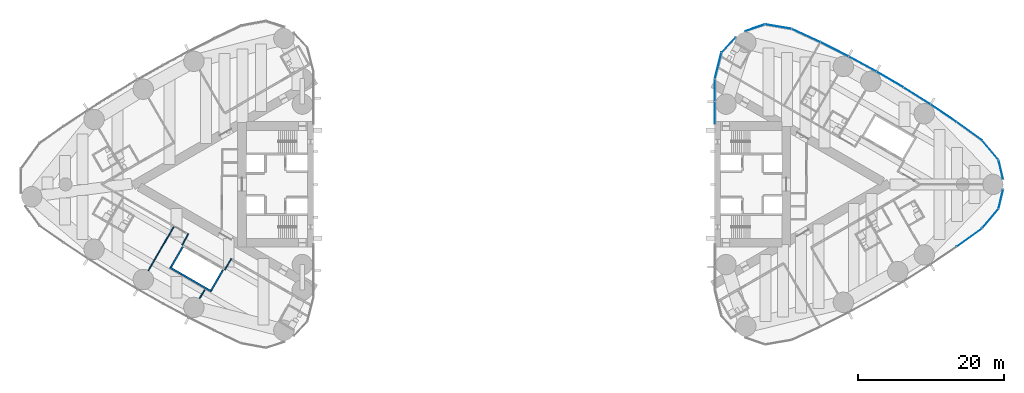
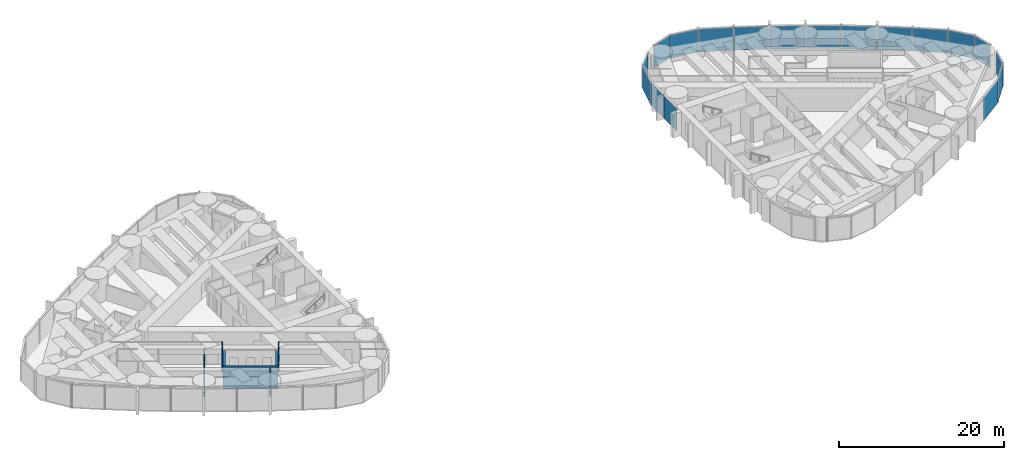
# One storey, part 11 of 18: 18 plates, 7 walls, 3 elements without a shape of their own.
"""IFC4 building model written with IfcOpenShell, lengths in metres."""

from ifc_helpers import new_model, si_unit, direction, frame, frame_2d, origin, origin_2d, place, context, subcontext, project, spatial, rectangle, extrude, material, layer, layer_set, type_object, element, aggregate, save


model = new_model("IFC4")

# Units and contexts
model_context = context("Model", 3, precision=1e-05, world=origin(), true_north=direction((0.0, 1.0)))
body_context = subcontext(model_context, "Body", "Model", "MODEL_VIEW")
ifc_project = project(units=[si_unit("LENGTHUNIT", "METRE"), si_unit("AREAUNIT", "SQUARE_METRE"), si_unit("VOLUMEUNIT", "CUBIC_METRE"), si_unit("PLANEANGLEUNIT", "RADIAN"), si_unit("MASSUNIT", "GRAM", prefix="KILO")], contexts=[model_context])

# Site, building, storey
site_placement = place(None, origin())
site = spatial("IfcSite", under=ifc_project, at=site_placement, CompositionType="ELEMENT")
building_placement = place(site_placement, origin())
building = spatial("IfcBuilding", under=site, at=building_placement, Name="Lancet Gate Hotel", CompositionType="ELEMENT")
storey_placement = place(building_placement, frame((0.0, 0.0, 166.800048828125)))
storey = spatial("IfcBuildingStorey", under=building, at=storey_placement, Name="L44", CompositionType="ELEMENT", Elevation=166.800048828125)

# Curtain wall, plates
ifc_material_1 = material(Name="Aluminium curtain wall", Category="aluminium")
curtain_wall_type = type_object("IfcCurtainWallType", Name="Tower unitised curtain wall", PredefinedType="USERDEFINED", material=ifc_material_1)
curtain_wall_1_placement = place(storey_placement, origin())
curtain_wall_1 = element("IfcCurtainWall", 1, at=curtain_wall_1_placement, inside=storey, type_object=curtain_wall_type, Name="T2 L44 curtain wall 2", ObjectType="UNITISED CURTAIN WALL", PredefinedType="USERDEFINED")
ifc_material_2 = material(Name="Glass double glazed unit 8-16-6", Category="glass")
ifc_layer_1 = layer(ifc_material_2, 0.030029296875)
ifc_layer_set_1 = layer_set([ifc_layer_1], Name="Vision panel double glazed")
plate_type = type_object("IfcPlateType", Name="Vision panel double glazed", PredefinedType="CURTAIN_PANEL", material=ifc_layer_set_1)
plate_1_placement = place(storey_placement, frame((62.417236328125, -7.279541015625, 0.0), z_axis=(0.0, 0.0, 1.0), x_axis=(0.810891442127, 0.585196607206, 0.0)))
plate_1 = element("IfcPlate", 2, at=plate_1_placement, type_object=plate_type, Name="T2 L44 curtain wall 2 panel 9", PredefinedType="CURTAIN_PANEL", context=body_context, shape_type="SweptSolid", body=[
    extrude(rectangle(XDim=4.26904296875, YDim=0.030029296875, at=origin_2d()), origin(), (0.0, 0.0, 1.0), 3.35009765625),
])
plate_2_placement = place(storey_placement, frame((65.283935546875, -4.68701171875, 0.0), z_axis=(0.0, 0.0, 1.0), x_axis=(0.642198636854, 0.766538264422, 0.0)))
plate_2 = element("IfcPlate", 3, at=plate_2_placement, type_object=plate_type, Name="T2 L44 curtain wall 2 panel 10", PredefinedType="CURTAIN_PANEL", context=body_context, shape_type="SweptSolid", body=[
    extrude(rectangle(XDim=3.390380859375, YDim=0.030029296875, at=origin_2d()), origin(), (0.0, 0.0, 1.0), 3.35009765625),
])
plate_3_placement = place(storey_placement, frame((66.710693359375, -2.0234375, 0.0), z_axis=(0.0, 0.0, 1.0), x_axis=(0.230366568544, 0.973103922558, 0.0)))
plate_3 = element("IfcPlate", 4, at=plate_3_placement, type_object=plate_type, Name="T2 L44 curtain wall 2 panel 11", PredefinedType="CURTAIN_PANEL", context=body_context, shape_type="SweptSolid", body=[
    extrude(rectangle(XDim=2.687255859375, YDim=0.030029296875, at=origin_2d()), origin(), (0.0, 0.0, 1.0), 3.35009765625),
])
aggregate(curtain_wall_1, [plate_1, plate_2, plate_3])

curtain_wall_2_placement = place(storey_placement, origin())
curtain_wall_2 = element("IfcCurtainWall", 5, at=curtain_wall_2_placement, inside=storey, type_object=curtain_wall_type, Name="T2 L44 curtain wall 3", ObjectType="UNITISED CURTAIN WALL", PredefinedType="USERDEFINED")
plate_4_placement = place(storey_placement, frame((66.710693359375, 2.0234375, 0.0), z_axis=(0.0, 0.0, 1.0), x_axis=(-0.230366568544, 0.973103922558, 0.0)))
plate_4 = element("IfcPlate", 6, at=plate_4_placement, type_object=plate_type, Name="T2 L44 curtain wall 3 panel 1", PredefinedType="CURTAIN_PANEL", context=body_context, shape_type="SweptSolid", body=[
    extrude(rectangle(XDim=2.687255859375, YDim=0.030029296875, at=origin_2d()), origin(), (0.0, 0.0, 1.0), 3.35009765625),
])
plate_5_placement = place(storey_placement, frame((65.283935546875, 4.68701171875, 0.0), z_axis=(0.0, 0.0, 1.0), x_axis=(-0.642198636854, 0.766538264422, 0.0)))
plate_5 = element("IfcPlate", 7, at=plate_5_placement, type_object=plate_type, Name="T2 L44 curtain wall 3 panel 2", PredefinedType="CURTAIN_PANEL", context=body_context, shape_type="SweptSolid", body=[
    extrude(rectangle(XDim=3.390380859375, YDim=0.030029296875, at=origin_2d()), origin(), (0.0, 0.0, 1.0), 3.35009765625),
])
plate_6_placement = place(storey_placement, frame((62.417236328125, 7.279541015625, 0.0), z_axis=(0.0, 0.0, 1.0), x_axis=(-0.810891442127, 0.585196607206, 0.0)))
plate_6 = element("IfcPlate", 8, at=plate_6_placement, type_object=plate_type, Name="T2 L44 curtain wall 3 panel 3", PredefinedType="CURTAIN_PANEL", context=body_context, shape_type="SweptSolid", body=[
    extrude(rectangle(XDim=4.26904296875, YDim=0.030029296875, at=origin_2d()), origin(), (0.0, 0.0, 1.0), 3.35009765625),
])
plate_7_placement = place(storey_placement, frame((58.863525390625, 9.75927734375, 0.0), z_axis=(0.0, 0.0, 1.0), x_axis=(-0.829038793948, 0.559191092677, 0.0)))
plate_7 = element("IfcPlate", 9, at=plate_7_placement, type_object=plate_type, Name="T2 L44 curtain wall 3 panel 4", PredefinedType="CURTAIN_PANEL", context=body_context, shape_type="SweptSolid", body=[
    extrude(rectangle(XDim=4.26904296875, YDim=0.030029296875, at=origin_2d()), origin(), (0.0, 0.0, 1.0), 3.35009765625),
])
plate_8_placement = place(storey_placement, frame((55.233154296875, 12.125244140625, 0.0), z_axis=(0.0, 0.0, 1.0), x_axis=(-0.846352453444, 0.532623248225, 0.0)))
plate_8 = element("IfcPlate", 10, at=plate_8_placement, type_object=plate_type, Name="T2 L44 curtain wall 3 panel 5", PredefinedType="CURTAIN_PANEL", context=body_context, shape_type="SweptSolid", body=[
    extrude(rectangle(XDim=4.26904296875, YDim=0.030029296875, at=origin_2d()), origin(), (0.0, 0.0, 1.0), 3.35009765625),
])
plate_9_placement = place(storey_placement, frame((51.529296875, 14.374755859375, 0.0), z_axis=(0.0, 0.0, 1.0), x_axis=(-0.862815009772, 0.505519790822, 0.0)))
plate_9 = element("IfcPlate", 11, at=plate_9_placement, type_object=plate_type, Name="T2 L44 curtain wall 3 panel 6", PredefinedType="CURTAIN_PANEL", context=body_context, shape_type="SweptSolid", body=[
    extrude(rectangle(XDim=4.26904296875, YDim=0.030029296875, at=origin_2d()), origin(), (0.0, 0.0, 1.0), 3.35009765625),
])
plate_10_placement = place(storey_placement, frame((47.756103515625, 16.505859375, 0.0), z_axis=(0.0, 0.0, 1.0), x_axis=(-0.878409907967, 0.477907976063, 0.0)))
plate_10 = element("IfcPlate", 12, at=plate_10_placement, type_object=plate_type, Name="T2 L44 curtain wall 3 panel 7", PredefinedType="CURTAIN_PANEL", context=body_context, shape_type="SweptSolid", body=[
    extrude(rectangle(XDim=4.26904296875, YDim=0.030029296875, at=origin_2d()), origin(), (0.0, 0.0, 1.0), 3.35009765625),
])
plate_11_placement = place(storey_placement, frame((43.917236328125, 18.516357421875, 0.0), z_axis=(0.0, 0.0, 1.0), x_axis=(-0.893121465596, 0.449815570752, 0.0)))
plate_11 = element("IfcPlate", 13, at=plate_11_placement, type_object=plate_type, Name="T2 L44 curtain wall 3 panel 8", PredefinedType="CURTAIN_PANEL", context=body_context, shape_type="SweptSolid", body=[
    extrude(rectangle(XDim=4.26904296875, YDim=0.030029296875, at=origin_2d()), origin(), (0.0, 0.0, 1.0), 3.35009765625),
])
plate_12_placement = place(storey_placement, frame((40.0166015625, 20.40380859375, 0.0), z_axis=(0.0, 0.0, 1.0), x_axis=(-0.906934888522, 0.421270824982, 0.0)))
plate_12 = element("IfcPlate", 14, at=plate_12_placement, type_object=plate_type, Name="T2 L44 curtain wall 3 panel 9", PredefinedType="CURTAIN_PANEL", context=body_context, shape_type="SweptSolid", body=[
    extrude(rectangle(XDim=4.26904296875, YDim=0.030029296875, at=origin_2d()), origin(), (0.0, 0.0, 1.0), 3.35009765625),
])
plate_13_placement = place(storey_placement, frame((36.231689453125, 21.629638671875, 0.0), z_axis=(0.0, 0.0, 1.0), x_axis=(-0.985539649572, 0.169444973729, 0.0)))
plate_13 = element("IfcPlate", 15, at=plate_13_placement, type_object=plate_type, Name="T2 L44 curtain wall 3 panel 10", PredefinedType="CURTAIN_PANEL", context=body_context, shape_type="SweptSolid", body=[
    extrude(rectangle(XDim=3.62744140625, YDim=0.030029296875, at=origin_2d()), origin(), (0.0, 0.0, 1.0), 3.35009765625),
])
plate_14_placement = place(storey_placement, frame((33.02197265625, 21.470703125, 0.0), z_axis=(0.0, 0.0, 1.0), x_axis=(-0.946952368511, -0.321373943827, 0.0)))
plate_14 = element("IfcPlate", 16, at=plate_14_placement, type_object=plate_type, Name="T2 L44 curtain wall 3 panel 11", PredefinedType="CURTAIN_PANEL", context=body_context, shape_type="SweptSolid", body=[
    extrude(rectangle(XDim=2.871337890625, YDim=0.030029296875, at=origin_2d()), origin(), (0.0, 0.0, 1.0), 3.35009765625),
])
aggregate(curtain_wall_2, [plate_4, plate_5, plate_6, plate_7, plate_8, plate_9, plate_10, plate_11, plate_12, plate_13, plate_14])

curtain_wall_3_placement = place(storey_placement, origin())
curtain_wall_3 = element("IfcCurtainWall", 17, at=curtain_wall_3_placement, inside=storey, type_object=curtain_wall_type, Name="T2 L44 curtain wall 4", ObjectType="UNITISED CURTAIN WALL", PredefinedType="USERDEFINED")
plate_15_placement = place(storey_placement, frame((29.4052734375, 19.122314453125, 0.0), z_axis=(0.0, 0.0, 1.0), x_axis=(-0.67883123083, -0.734294327943, 0.0)))
plate_15 = element("IfcPlate", 18, at=plate_15_placement, type_object=plate_type, Name="T2 L44 curtain wall 4 panel 1", PredefinedType="CURTAIN_PANEL", context=body_context, shape_type="SweptSolid", body=[
    extrude(rectangle(XDim=2.87060546875, YDim=0.030029296875, at=origin_2d()), origin(), (0.0, 0.0, 1.0), 3.35009765625),
])
plate_16_placement = place(storey_placement, frame((27.95458984375, 16.2548828125, 0.0), z_axis=(0.0, 0.0, 1.0), x_axis=(-0.246166705764, -0.969227503207, 0.0)))
plate_16 = element("IfcPlate", 19, at=plate_16_placement, type_object=plate_type, Name="T2 L44 curtain wall 4 panel 2", PredefinedType="CURTAIN_PANEL", context=body_context, shape_type="SweptSolid", body=[
    extrude(rectangle(XDim=3.62744140625, YDim=0.030029296875, at=origin_2d()), origin(), (0.0, 0.0, 1.0), 3.35009765625),
])
plate_17_placement = place(storey_placement, frame((27.5, 12.899169921875, 0.0), z_axis=(0.0, 0.0, 1.0), x_axis=(0.0, -1.0, 0.0)))
plate_17 = element("IfcPlate", 20, at=plate_17_placement, type_object=plate_type, Name="T2 L44 curtain wall 4 panel 3", PredefinedType="CURTAIN_PANEL", context=body_context, shape_type="SweptSolid", body=[
    extrude(rectangle(XDim=3.06787109375, YDim=0.030029296875, at=origin_2d()), origin(), (0.0, 0.0, 1.0), 3.35009765625),
])
plate_18_placement = place(storey_placement, frame((27.5, 9.766357421875, 0.0), z_axis=(0.0, 0.0, 1.0), x_axis=(0.0, -1.0, 0.0)))
plate_18 = element("IfcPlate", 21, at=plate_18_placement, type_object=plate_type, Name="T2 L44 curtain wall 4 panel 4", PredefinedType="CURTAIN_PANEL", context=body_context, shape_type="SweptSolid", body=[
    extrude(rectangle(XDim=3.06787109375, YDim=0.030029296875, at=origin_2d()), origin(), (0.0, 0.0, 1.0), 3.35009765625),
])
aggregate(curtain_wall_3, [plate_15, plate_16, plate_17, plate_18])

# Walls
ifc_material_3 = material(Name="Gypsum board partition")
ifc_layer_2 = layer(ifc_material_3, 0.25)
ifc_layer_set_2 = layer_set([ifc_layer_2], Name="Lift shaft partition 250")
wall_type_1 = type_object("IfcWallType", Name="Lift shaft partition 250", PredefinedType="PARTITIONING", material=ifc_layer_set_2)
wall_1_placement = place(storey_placement, frame((-41.482421875, -14.685791015625, 0.0), z_axis=(0.0, 0.0, 1.0), x_axis=(-0.86603344179, 0.499986077507, 0.0)))
element("IfcWall", 22, at=wall_1_placement, inside=storey, type_object=wall_type_1, Name="T1 lift shaft wall HL L44", PredefinedType="PARTITIONING", context=body_context, shape_type="SweptSolid", body=[
    extrude(rectangle(XDim=6.600341796875, YDim=0.25, at=frame_2d((3.30029296875, 0.0))), origin(), (0.0, 0.0, 1.0), 3.25),
])
for number, where, z_axis, x_axis, name in (
    (23, (-39.92822265625, -11.742919921875, 0.0), (0.0, 0.0, 1.0), (-0.499929347863, -0.866066190972, 0.0), "T1 lift shaft wall HL L44"),
    (24, (-45.427734375, -8.568115234375, 0.0), (0.0, 0.0, 1.0), (-0.499929347863, -0.866066190972, 0.0), "T1 lift shaft wall HL L44"),
):
    element("IfcWall", number, at=place(storey_placement, frame(where, z_axis=z_axis, x_axis=x_axis)), inside=storey, type_object=wall_type_1, Name=name, PredefinedType="PARTITIONING", context=body_context, shape_type="SweptSolid", body=[
        extrude(rectangle(XDim=3.20068359375, YDim=0.25, at=frame_2d((1.600341796875, 0.0))), origin(), (0.0, 0.0, 1.0), 3.25),
    ])
ifc_material_4 = material(Name="Gypsum board partition")
ifc_layer_3 = layer(ifc_material_4, 0.14990234375)
ifc_layer_set_3 = layer_set([ifc_layer_3], Name="Party wall 150")
wall_type_2 = type_object("IfcWallType", Name="Party wall 150", PredefinedType="PARTITIONING", material=ifc_layer_set_3)
wall_2_placement = place(storey_placement, frame((-46.6787109375, -5.8251953125, 0.0), z_axis=(0.0, 0.0, 1.0), x_axis=(-0.500006839597, -0.866021454905, 0.0)))
element("IfcWall", 25, at=wall_2_placement, inside=storey, type_object=wall_type_2, Name="T1 party wall 150 L44", PredefinedType="PARTITIONING", context=body_context, shape_type="SweptSolid", body=[
    extrude(rectangle(XDim=6.9111328125, YDim=0.14990234375, at=frame_2d((3.45556640625, 0.0))), origin(), (0.0, 0.0, 1.0), 2.300048828125),
])
wall_3_placement = place(storey_placement, frame((-42.429443359375, -14.45654296875, 0.0), z_axis=(0.0, 0.0, 1.0), x_axis=(-0.5000578829, -0.865991982497, 0.0)))
element("IfcWall", 26, at=wall_3_placement, inside=storey, type_object=wall_type_2, Name="T1 party wall 150 L44", PredefinedType="PARTITIONING", context=body_context, shape_type="SweptSolid", body=[
    extrude(rectangle(XDim=1.406982421875, YDim=0.14990234375, at=frame_2d((0.70361328125, 0.0))), origin(), (0.0, 0.0, 1.0), 3.25),
])
ifc_material_5 = material(Name="Gypsum board partition")
ifc_layer_4 = layer(ifc_material_5, 0.14990234375)
ifc_layer_set_4 = layer_set([ifc_layer_4], Name="Service room wall 150")
wall_type_3 = type_object("IfcWallType", Name="Service room wall 150", PredefinedType="PARTITIONING", material=ifc_layer_set_4)
for number, where, z_axis, x_axis, name in (
    (27, (-39.6826171875, -11.717529296875, 0.0), (0.0, 0.0, 1.0), (0.514336634837, 0.857588377991, 0.0), "T1 service room wall 150 L44"),
    (28, (-44.652099609375, -6.764404296875, 0.0), (0.0, 0.0, 1.0), (-0.485424724123, -0.874278466629, 0.0), "T1 service room wall 150 L44"),
):
    element("IfcWall", number, at=place(storey_placement, frame(where, z_axis=z_axis, x_axis=x_axis)), inside=storey, type_object=wall_type_3, Name=name, PredefinedType="PARTITIONING", context=body_context, shape_type="SweptSolid", body=[
        extrude(rectangle(XDim=1.80517578125, YDim=0.14990234375, at=frame_2d((0.902587890625, 0.0))), origin(), (0.0, 0.0, 1.0), 3.25),
    ])

save(model, "model.ifc")
